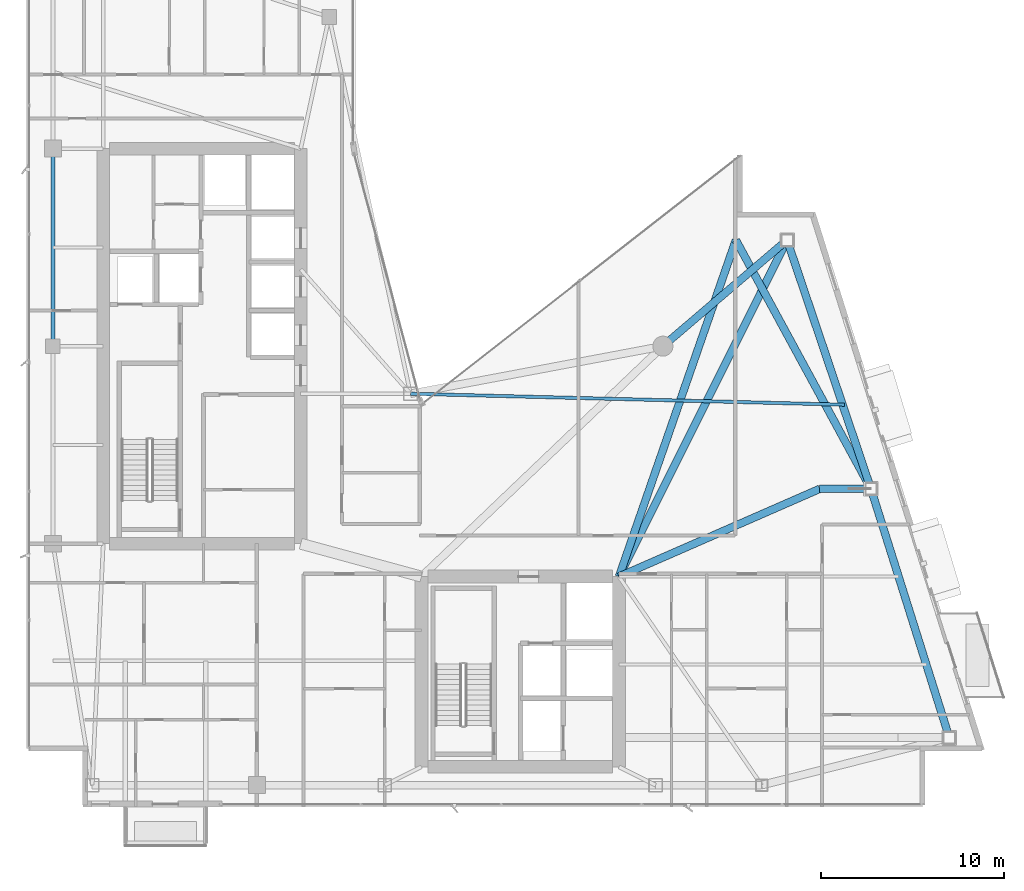
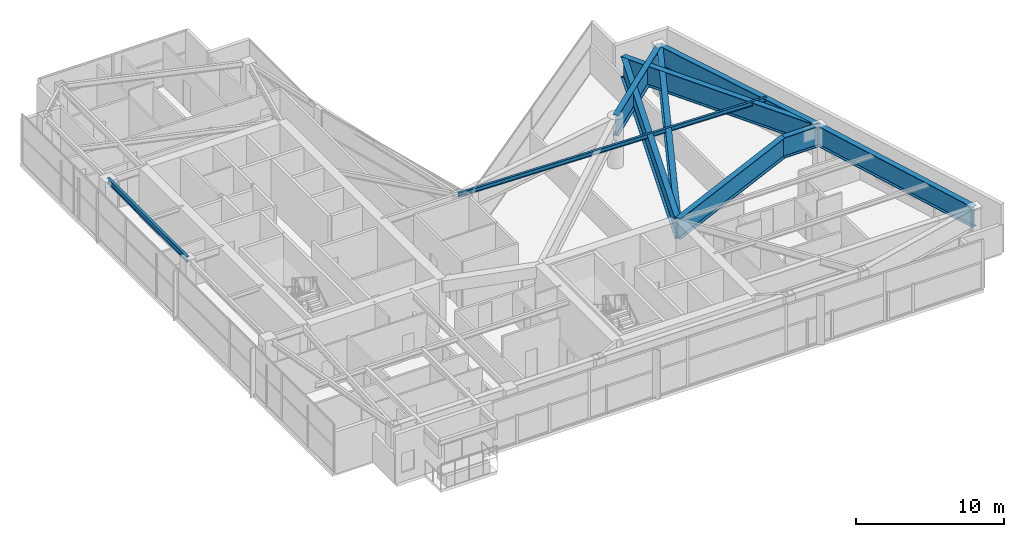
# One storey, part 15 of 29: 10 beams.
"""IFC4 building model written with IfcOpenShell, lengths in metres."""

from ifc_helpers import new_model, si_unit, direction, frame, origin, origin_2d, place, context, subcontext, project, spatial, i_section, extrude, material, material_profile, profile_set, type_object, element, save


model = new_model("IFC4")

# Units and contexts
model_context = context("Model", 3, precision=1e-05, world=origin(), true_north=direction((0.0, 1.0)))
body_context = subcontext(model_context, "Body", "Model", "MODEL_VIEW")
ifc_project = project(units=[si_unit("LENGTHUNIT", "METRE"), si_unit("AREAUNIT", "SQUARE_METRE"), si_unit("VOLUMEUNIT", "CUBIC_METRE"), si_unit("PLANEANGLEUNIT", "RADIAN"), si_unit("MASSUNIT", "GRAM", prefix="KILO")], contexts=[model_context])

# Site, building, storey
site_placement = place(None, origin())
site = spatial("IfcSite", under=ifc_project, at=site_placement, CompositionType="ELEMENT")
building_placement = place(site_placement, origin())
building = spatial("IfcBuilding", under=site, at=building_placement, Name="Calvorn Quay Hotel", CompositionType="ELEMENT")
storey_placement = place(building_placement, frame((0.0, 0.0, 214.800048828125)))
storey = spatial("IfcBuildingStorey", under=building, at=storey_placement, Name="L53", CompositionType="ELEMENT", Elevation=214.800048828125)

# Beams
ifc_material_1 = material(Name="Steel Q355B", Category="steel")
ifc_material_profile_1 = material_profile(ifc_material_1, i_section(OverallWidth=0.175048828125, OverallDepth=0.35009765625, WebThickness=0.007080078125, FlangeThickness=0.010986328125, FilletRadius=0.013916015625, at=origin_2d()), Name="HN350x175x7x11")
ifc_profile_set_1 = profile_set([ifc_material_profile_1], Name="Steel Q355B")
beam_type_1 = type_object("IfcBeamType", Name="BM-JOIST-SEC", PredefinedType="JOIST", material=ifc_profile_set_1)
beam_1_placement = place(storey_placement, frame((21.0, 25.0, 3.875), z_axis=(0.999680318096, -0.025283623381, 0.0), x_axis=(0.025283623381, 0.999680318096, 0.0)))
element("IfcBeam", 1, at=beam_1_placement, inside=storey, type_object=beam_type_1, Name="Beam BJ-L53-E3", PredefinedType="JOIST", context=body_context, shape_type="SweptSolid", body=[
    extrude(i_section(OverallWidth=0.175048828125, OverallDepth=0.35009765625, WebThickness=0.007080078125, FlangeThickness=0.010986328125, FilletRadius=0.013916015625, at=origin_2d()), origin(), (0.0, 0.0, 1.0), 23.734619140625),
])
ifc_material_2 = material(Name="Steel Q355B", Category="steel")
ifc_material_profile_2 = material_profile(ifc_material_2, i_section(OverallWidth=0.199951171875, OverallDepth=0.449951171875, WebThickness=0.009033203125, FlangeThickness=0.013916015625, FilletRadius=0.01611328125, at=origin_2d()), Name="HN450x200x9x14")
ifc_profile_set_2 = profile_set([ifc_material_profile_2], Name="Steel Q355B")
beam_type_2 = type_object("IfcBeamType", Name="BM-SPANDREL-Z3", PredefinedType="SPANDREL", material=ifc_profile_set_2)
beam_2_placement = place(storey_placement, frame((1.449951171875, 27.60009765625, 3.824951171875), z_axis=(0.0, 1.0, 0.0), x_axis=(-1.0, 0.0, 0.0)))
element("IfcBeam", 2, at=beam_2_placement, inside=storey, type_object=beam_type_2, Name="Beam BSP-L53-W3", PredefinedType="SPANDREL", context=body_context, shape_type="SweptSolid", body=[
    extrude(i_section(OverallWidth=0.199951171875, OverallDepth=0.449951171875, WebThickness=0.009033203125, FlangeThickness=0.013916015625, FilletRadius=0.01611328125, at=origin_2d()), origin(), (0.0, 0.0, 1.0), 10.7998046875),
])
ifc_material_3 = material(Name="Steel Q420GJC", Category="steel")
ifc_material_profile_3 = material_profile(ifc_material_3, i_section(OverallWidth=0.419921875, OverallDepth=1.699951171875, WebThickness=0.02392578125, FlangeThickness=0.0419921875, FilletRadius=0.02392578125, at=origin_2d()), Name="HN1700x420x24x42")
ifc_profile_set_3 = profile_set([ifc_material_profile_3], Name="Steel Q420GJC")
beam_type_3 = type_object("IfcBeamType", Name="BM-XFER-SAWTOOTH", PredefinedType="BEAM", material=ifc_profile_set_3)
beam_3_placement = place(storey_placement, frame((32.39990234375, 15.0, 3.199951171875), z_axis=(0.916218128543, 0.40067984842, 0.0), x_axis=(-0.40067984842, 0.916218128543, 0.0)))
element("IfcBeam", 3, at=beam_3_placement, inside=storey, type_object=beam_type_3, Name="Beam BTG-L53-C-ET2A", PredefinedType="BEAM", context=body_context, shape_type="SweptSolid", body=[
    extrude(i_section(OverallWidth=0.419921875, OverallDepth=1.699951171875, WebThickness=0.02392578125, FlangeThickness=0.0419921875, FilletRadius=0.02392578125, at=origin_2d()), origin(), (0.0, 0.0, 1.0), 11.979736328125),
])
beam_4_placement = place(storey_placement, frame((43.3759765625, 19.800048828125, 3.199951171875), z_axis=(1.0, 0.0, 0.0), x_axis=(0.0, 1.0, 0.0)))
element("IfcBeam", 4, at=beam_4_placement, inside=storey, type_object=beam_type_3, Name="Beam BTG-L53-C-ET2B", PredefinedType="BEAM", context=body_context, shape_type="SweptSolid", body=[
    extrude(i_section(OverallWidth=0.419921875, OverallDepth=1.699951171875, WebThickness=0.02392578125, FlangeThickness=0.0419921875, FilletRadius=0.02392578125, at=origin_2d()), origin(), (0.0, 0.0, 1.0), 2.800048828125),
])
beam_5_placement = place(storey_placement, frame((32.39990234375, 15.0, 3.199951171875), z_axis=(0.328115152411, 0.94463773308, 0.0), x_axis=(-0.94463773308, 0.328115152411, 0.0)))
element("IfcBeam", 5, at=beam_5_placement, inside=storey, type_object=beam_type_3, Name="Beam BTG-L53-C-ET3A", PredefinedType="BEAM", context=body_context, shape_type="SweptSolid", body=[
    extrude(i_section(OverallWidth=0.419921875, OverallDepth=1.699951171875, WebThickness=0.02392578125, FlangeThickness=0.0419921875, FilletRadius=0.02392578125, at=origin_2d()), origin(), (0.0, 0.0, 1.0), 19.478271484375),
])
beam_6_placement = place(storey_placement, frame((38.791015625, 33.39990234375, 3.199951171875), z_axis=(0.477203264723, -0.878792947251, 0.0), x_axis=(0.878792947251, 0.477203264723, 0.0)))
element("IfcBeam", 6, at=beam_6_placement, inside=storey, type_object=beam_type_3, Name="Beam BTG-L53-C-ET3B", PredefinedType="BEAM", context=body_context, shape_type="SweptSolid", body=[
    extrude(i_section(OverallWidth=0.419921875, OverallDepth=1.699951171875, WebThickness=0.02392578125, FlangeThickness=0.0419921875, FilletRadius=0.02392578125, at=origin_2d()), origin(), (0.0, 0.0, 1.0), 15.4755859375),
])
beam_7_placement = place(storey_placement, frame((50.4609375, 6.199951171875, 3.199951171875), z_axis=(-0.300502802767, 0.953780931624, 0.0), x_axis=(-0.953780931624, -0.300502802767, 0.0)))
element("IfcBeam", 7, at=beam_7_placement, inside=storey, type_object=beam_type_3, Name="Beam BSP-L53-E1", PredefinedType="BEAM", context=body_context, shape_type="SweptSolid", body=[
    extrude(i_section(OverallWidth=0.419921875, OverallDepth=1.699951171875, WebThickness=0.02392578125, FlangeThickness=0.0419921875, FilletRadius=0.02392578125, at=origin_2d()), origin(), (0.0, 0.0, 1.0), 14.259033203125),
])
beam_8_placement = place(storey_placement, frame((46.176025390625, 19.800048828125, 3.199951171875), z_axis=(-0.319466515944, 0.947597564998, 0.0), x_axis=(-0.947597564998, -0.319466515944, 0.0)))
element("IfcBeam", 8, at=beam_8_placement, inside=storey, type_object=beam_type_3, Name="Beam BSP-L53-E2", PredefinedType="BEAM", context=body_context, shape_type="SweptSolid", body=[
    extrude(i_section(OverallWidth=0.419921875, OverallDepth=1.699951171875, WebThickness=0.02392578125, FlangeThickness=0.0419921875, FilletRadius=0.02392578125, at=origin_2d()), origin(), (0.0, 0.0, 1.0), 14.35205078125),
])
beam_9_placement = place(storey_placement, frame((41.591064453125, 33.39990234375, 3.199951171875), z_axis=(-0.760420928616, -0.64943052848, 0.0), x_axis=(0.64943052848, -0.760420928616, 0.0)))
element("IfcBeam", 9, at=beam_9_placement, inside=storey, type_object=beam_type_3, Name="Beam BSP-L53-E3", PredefinedType="BEAM", context=body_context, shape_type="SweptSolid", body=[
    extrude(i_section(OverallWidth=0.419921875, OverallDepth=1.699951171875, WebThickness=0.02392578125, FlangeThickness=0.0419921875, FilletRadius=0.02392578125, at=origin_2d()), origin(), (0.0, 0.0, 1.0), 8.9306640625),
])
beam_10_placement = place(storey_placement, frame((32.39990234375, 15.0, 3.199951171875), z_axis=(0.446871705446, 0.894598054364, 0.0), x_axis=(-0.894598054364, 0.446871705446, 0.0)))
element("IfcBeam", 10, at=beam_10_placement, inside=storey, type_object=beam_type_3, Name="Beam BTG-L53-03", PredefinedType="BEAM", context=body_context, shape_type="SweptSolid", body=[
    extrude(i_section(OverallWidth=0.419921875, OverallDepth=1.699951171875, WebThickness=0.02392578125, FlangeThickness=0.0419921875, FilletRadius=0.02392578125, at=origin_2d()), origin(), (0.0, 0.0, 1.0), 20.56787109375),
])

save(model, "model.ifc")
